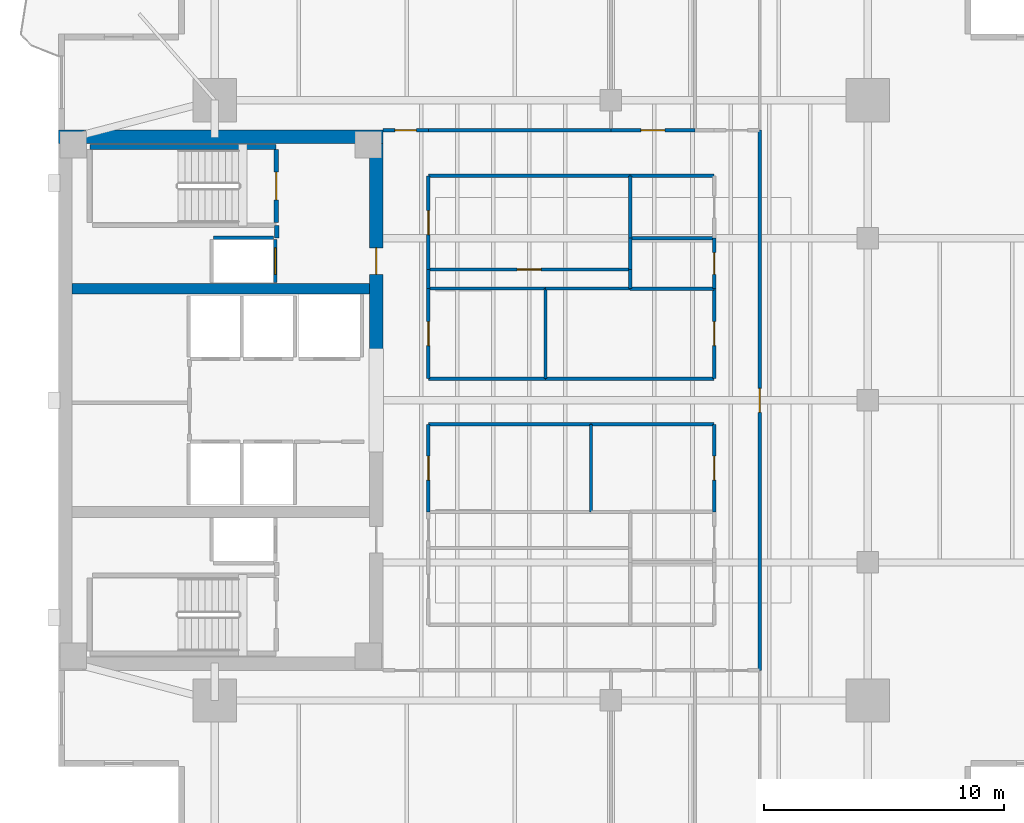
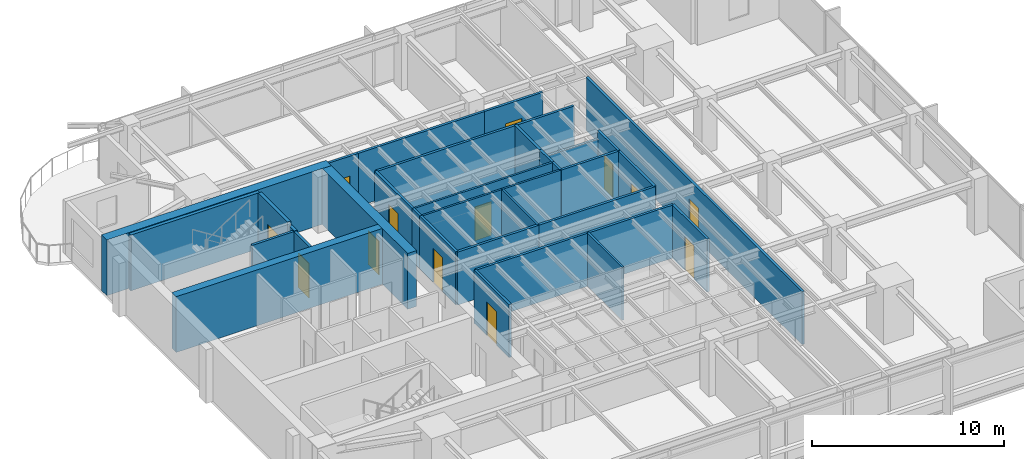
# One storey, part 9 of 14: 35 walls, 13 doors, 13 openings.
"""IFC4 building model written with IfcOpenShell, lengths in metres."""

from ifc_helpers import new_model, si_unit, direction, frame, frame_2d, origin, place, context, subcontext, project, spatial, rectangle, extrude, material, layer, layer_set, type_object, element, fill, save


model = new_model("IFC4")

# Units and contexts
model_context = context("Model", 3, precision=1e-05, world=origin(), true_north=direction((0.0, 1.0)))
body_context = subcontext(model_context, "Body", "Model", "MODEL_VIEW")
ifc_project = project(units=[si_unit("LENGTHUNIT", "METRE"), si_unit("AREAUNIT", "SQUARE_METRE"), si_unit("VOLUMEUNIT", "CUBIC_METRE"), si_unit("PLANEANGLEUNIT", "RADIAN"), si_unit("MASSUNIT", "GRAM", prefix="KILO")], contexts=[model_context])

# Site, building, storey
site_placement = place(None, origin())
site = spatial("IfcSite", under=ifc_project, at=site_placement, CompositionType="ELEMENT")
building_placement = place(site_placement, origin())
building = spatial("IfcBuilding", under=site, at=building_placement, Name="Kinhvarn Gate Tower", CompositionType="ELEMENT")
storey_placement = place(building_placement, frame((0.0, 0.0, 216.449951171875)))
storey = spatial("IfcBuildingStorey", under=building, at=storey_placement, Name="L57", CompositionType="ELEMENT", Elevation=216.449951171875)

# Walls
ifc_material_1 = material(Name="Concrete C50/60", Category="concrete")
ifc_layer_1 = layer(ifc_material_1, 0.449951171875)
ifc_layer_set_1 = layer_set([ifc_layer_1], Name="Concrete C50/60")
wall_type_1 = type_object("IfcWallType", Name="WL-CORE-450", PredefinedType="SHEAR", material=ifc_layer_set_1)
wall_1_placement = place(storey_placement, frame((5.050048828125, 29.89990234375, 0.0), z_axis=(0.0, 0.0, 1.0), x_axis=(1.0, 0.0, 0.0)))
element("IfcWall", 1, at=wall_1_placement, inside=storey, type_object=wall_type_1, Name="Core North Spine Shear Wall L57 450 mm", PredefinedType="SHEAR", context=body_context, shape_type="SweptSolid", body=[
    extrude(rectangle(XDim=12.39990234375, YDim=0.449951171875, at=frame_2d((6.199951171875, 0.0))), origin(), (0.0, 0.0, 1.0), 3.550048828125),
])
ifc_material_2 = material(Name="Concrete C60/75", Category="concrete")
ifc_layer_2 = layer(ifc_material_2, 0.550048828125)
ifc_layer_set_2 = layer_set([ifc_layer_2], Name="Concrete C60/75")
wall_type_2 = type_object("IfcWallType", Name="WL-CORE-550", PredefinedType="SHEAR", material=ifc_layer_set_2)
wall_2_placement = place(storey_placement, frame((4.5, 36.22509765625, 0.0), z_axis=(0.0, 0.0, 1.0), x_axis=(1.0, 0.0, 0.0)))
element("IfcWall", 2, at=wall_2_placement, inside=storey, type_object=wall_type_2, Name="Core North Shear Wall L57 550 mm", PredefinedType="SHEAR", context=body_context, shape_type="SweptSolid", body=[
    extrude(rectangle(XDim=13.5, YDim=0.550048828125, at=frame_2d((6.75, 0.0))), origin(), (0.0, 0.0, 1.0), 3.550048828125),
])

# Wall, opening, door
wall_3_placement = place(storey_placement, frame((17.72509765625, 27.050048828125, 0.0), z_axis=(0.0, 0.0, 1.0), x_axis=(0.0, 1.0, 0.0)))
wall_3 = element("IfcWall", 3, at=wall_3_placement, inside=storey, type_object=wall_type_2, Name="Core East-North Shear Pier L57 550 mm", PredefinedType="SHEAR", context=body_context, shape_type="SweptSolid", body=[
    extrude(rectangle(XDim=8.89990234375, YDim=0.550048828125, at=frame_2d((4.449951171875, 0.0))), origin(), (0.0, 0.0, 1.0), 3.550048828125),
])
opening_1_placement = place(wall_3_placement, frame((3.449951171875, 0.0, 0.0)))
opening_1 = element("IfcOpeningElement", 4, at=opening_1_placement, cuts=wall_3, Name="Opening FD-02", PredefinedType="OPENING", context=body_context, shape_type="SweptSolid", body=[
    extrude(rectangle(XDim=1.10009765625, YDim=2.14990234375, at=frame_2d((0.550048828125, 1.074951171875))), frame((0.0, 0.28515625, 0.0), z_axis=(0.0, -1.0, 0.0), x_axis=(1.0, 0.0, 0.0)), (0.0, 0.0, 1.0), 0.570068359375),
])
ifc_material_3 = material(Name="Anodised aluminium AW-6063", Category="aluminium")
door_type_1 = type_object("IfcDoorType", Name="DR-FD-1100", OperationType="NOTDEFINED", PredefinedType="DOOR", material=ifc_material_3)
door_1_placement = place(opening_1_placement, origin())
door_1 = element("IfcDoor", 5, at=door_1_placement, inside=storey, type_object=door_type_1, Name="Firefighting Lobby Core Door (L57)", OperationType="SINGLE_SWING_LEFT", OverallHeight=2.14990234375, OverallWidth=1.10009765625, PredefinedType="DOOR", context=body_context, shape_type="SweptSolid", body=[
    extrude(rectangle(XDim=1.10009765625, YDim=2.14990234375, at=frame_2d((0.550048828125, 1.074951171875))), frame((0.0, 0.02490234375, 0.0), z_axis=(0.0, -1.0, 0.0), x_axis=(1.0, 0.0, 0.0)), (0.0, 0.0, 1.0), 0.050048828125),
])
fill(opening_1, door_1)

# Walls
ifc_material_4 = material(Name="Gypsum acoustic partition board")
ifc_layer_3 = layer(ifc_material_4, 0.14990234375)
ifc_layer_set_3 = layer_set([ifc_layer_3], Name="Gypsum acoustic partition board")
wall_type_3 = type_object("IfcWallType", Name="WL-PLM-150", PredefinedType="PLUMBINGWALL", material=ifc_layer_set_3)
wall_4_placement = place(storey_placement, frame((28.300048828125, 32.0, 0.0), z_axis=(0.0, 0.0, 1.0), x_axis=(1.0, 0.0, 0.0)))
element("IfcWall", 6, at=wall_4_placement, inside=storey, type_object=wall_type_3, Name="Interior Partition PLW-150 (L57)", PredefinedType="PLUMBINGWALL", context=body_context, shape_type="SweptSolid", body=[
    extrude(rectangle(XDim=3.5, YDim=0.14990234375, at=frame_2d((1.75, 0.0))), origin(), (0.0, 0.0, 1.0), 2.8701171875),
])
wall_5_placement = place(storey_placement, frame((28.300048828125, 32.0, 0.0), z_axis=(0.0, 0.0, 1.0), x_axis=(0.0, 1.0, 0.0)))
element("IfcWall", 7, at=wall_5_placement, inside=storey, type_object=wall_type_3, Name="Interior Partition PLW-150 (L57)", PredefinedType="PLUMBINGWALL", context=body_context, shape_type="SweptSolid", body=[
    extrude(rectangle(XDim=2.60009765625, YDim=0.14990234375, at=frame_2d((1.300048828125, 0.0))), origin(), (0.0, 0.0, 1.0), 3.3701171875),
])
wall_6_placement = place(storey_placement, frame((28.300048828125, 30.699951171875, 0.0), z_axis=(0.0, 0.0, 1.0), x_axis=(0.0, 1.0, 0.0)))
element("IfcWall", 8, at=wall_6_placement, inside=storey, type_object=wall_type_3, Name="Interior Partition PLW-150 (L57)", PredefinedType="PLUMBINGWALL", context=body_context, shape_type="SweptSolid", body=[
    extrude(rectangle(XDim=1.300048828125, YDim=0.14990234375, at=frame_2d((0.64990234375, 0.0))), origin(), (0.0, 0.0, 1.0), 3.3701171875),
])
wall_7_placement = place(storey_placement, frame((28.300048828125, 29.89990234375, 0.0), z_axis=(0.0, 0.0, 1.0), x_axis=(0.0, 1.0, 0.0)))
element("IfcWall", 9, at=wall_7_placement, inside=storey, type_object=wall_type_3, Name="Interior Partition PLW-150 (L57)", PredefinedType="PLUMBINGWALL", context=body_context, shape_type="SweptSolid", body=[
    extrude(rectangle(XDim=0.800048828125, YDim=0.14990234375, at=frame_2d((0.39990234375, 0.0))), origin(), (0.0, 0.0, 1.0), 3.3701171875),
])
wall_8_placement = place(storey_placement, frame((28.300048828125, 29.89990234375, 0.0), z_axis=(0.0, 0.0, 1.0), x_axis=(1.0, 0.0, 0.0)))
element("IfcWall", 10, at=wall_8_placement, inside=storey, type_object=wall_type_3, Name="Interior Partition PLW-150 (L57)", PredefinedType="PLUMBINGWALL", context=body_context, shape_type="SweptSolid", body=[
    extrude(rectangle(XDim=3.5, YDim=0.14990234375, at=frame_2d((1.75, 0.0))), origin(), (0.0, 0.0, 1.0), 3.3701171875),
])

# Wall, opening, door
ifc_layer_4 = layer(ifc_material_4, 0.14990234375)
ifc_layer_set_4 = layer_set([ifc_layer_4], Name="Gypsum acoustic partition board")
wall_type_4 = type_object("IfcWallType", Name="WL-PLM-150F", PredefinedType="PLUMBINGWALL", material=ifc_layer_set_4)
wall_9_placement = place(storey_placement, frame((31.800048828125, 29.89990234375, 0.0), z_axis=(0.0, 0.0, 1.0), x_axis=(0.0, 1.0, 0.0)))
wall_9 = element("IfcWall", 11, at=wall_9_placement, inside=storey, type_object=wall_type_4, Name="Interior Partition PLW-150F (L57)", PredefinedType="PLUMBINGWALL", context=body_context, shape_type="SweptSolid", body=[
    extrude(rectangle(XDim=2.10009765625, YDim=0.14990234375, at=frame_2d((1.050048828125, 0.0))), origin(), (0.0, 0.0, 1.0), 3.3701171875),
])
opening_2_placement = place(wall_9_placement, frame((0.60009765625, 0.0, 0.0)))
opening_2 = element("IfcOpeningElement", 12, at=opening_2_placement, cuts=wall_9, Name="Opening FD-04", PredefinedType="OPENING", context=body_context, shape_type="SweptSolid", body=[
    extrude(rectangle(XDim=0.89990234375, YDim=2.10009765625, at=frame_2d((0.449951171875, 1.050048828125))), frame((0.0, 0.0849609375, 0.0), z_axis=(0.0, -1.0, 0.0), x_axis=(1.0, 0.0, 0.0)), (0.0, 0.0, 1.0), 0.169921875),
])
door_type_2 = type_object("IfcDoorType", Name="DR-FD-900", OperationType="NOTDEFINED", PredefinedType="DOOR", material=ifc_material_3)
door_2_placement = place(opening_2_placement, origin())
door_2 = element("IfcDoor", 13, at=door_2_placement, inside=storey, type_object=door_type_2, Name="Rated Riser & Service Closet Fire Door 900x2100 mm (L57)", OperationType="SINGLE_SWING_LEFT", OverallHeight=2.10009765625, OverallWidth=0.89990234375, PredefinedType="DOOR", context=body_context, shape_type="SweptSolid", body=[
    extrude(rectangle(XDim=0.89990234375, YDim=2.10009765625, at=frame_2d((0.449951171875, 1.050048828125))), frame((0.0, 0.02490234375, 0.0), z_axis=(0.0, -1.0, 0.0), x_axis=(1.0, 0.0, 0.0)), (0.0, 0.0, 1.0), 0.050048828125),
])
fill(opening_2, door_2)

# Wall
wall_10_placement = place(storey_placement, frame((28.300048828125, 34.60009765625, 0.0), z_axis=(0.0, 0.0, 1.0), x_axis=(1.0, 0.0, 0.0)))
element("IfcWall", 14, at=wall_10_placement, inside=storey, type_object=wall_type_4, Name="Interior Partition PLW-150F (L57)", PredefinedType="PLUMBINGWALL", context=body_context, shape_type="SweptSolid", body=[
    extrude(rectangle(XDim=3.5, YDim=0.14990234375, at=frame_2d((1.75, 0.0))), origin(), (0.0, 0.0, 1.0), 3.3701171875),
])

# Wall, opening, door
ifc_layer_5 = layer(ifc_material_4, 0.1201171875)
ifc_layer_set_5 = layer_set([ifc_layer_5], Name="Gypsum acoustic partition board")
wall_type_5 = type_object("IfcWallType", Name="WL-PRT-120", PredefinedType="PARTITIONING", material=ifc_layer_set_5)
wall_11_placement = place(storey_placement, frame((19.89990234375, 30.699951171875, 0.0), z_axis=(0.0, 0.0, 1.0), x_axis=(1.0, 0.0, 0.0)))
wall_11 = element("IfcWall", 15, at=wall_11_placement, inside=storey, type_object=wall_type_5, Name="Interior Partition PW-120 (L57)", PredefinedType="PARTITIONING", context=body_context, shape_type="SweptSolid", body=[
    extrude(rectangle(XDim=8.400146484375, YDim=0.1201171875, at=frame_2d((4.2001953125, 0.0))), origin(), (0.0, 0.0, 1.0), 3.3701171875),
])
opening_3_placement = place(wall_11_placement, frame((3.699951171875, 0.0, 0.0)))
opening_3 = element("IfcOpeningElement", 16, at=opening_3_placement, cuts=wall_11, Name="Opening ID-02", PredefinedType="OPENING", context=body_context, shape_type="SweptSolid", body=[
    extrude(rectangle(XDim=1.0, YDim=2.14990234375, at=frame_2d((0.5, 1.074951171875))), frame((0.0, 0.070068359375, 0.0), z_axis=(0.0, -1.0, 0.0), x_axis=(1.0, 0.0, 0.0)), (0.0, 0.0, 1.0), 0.14013671875),
])
door_type_3 = type_object("IfcDoorType", Name="DR-INT-1000", OperationType="NOTDEFINED", PredefinedType="DOOR", material=ifc_material_3)
door_3_placement = place(opening_3_placement, origin())
door_3 = element("IfcDoor", 17, at=door_3_placement, inside=storey, type_object=door_type_3, Name="Standard Office & Meeting Room Door 1000x2150 mm (L57)", OperationType="SINGLE_SWING_LEFT", OverallHeight=2.14990234375, OverallWidth=1.0, PredefinedType="DOOR", context=body_context, shape_type="SweptSolid", body=[
    extrude(rectangle(XDim=1.0, YDim=2.14990234375, at=frame_2d((0.5, 1.074951171875))), frame((0.0, 0.02490234375, 0.0), z_axis=(0.0, -1.0, 0.0), x_axis=(1.0, 0.0, 0.0)), (0.0, 0.0, 1.0), 0.050048828125),
])
fill(opening_3, door_3)

# Walls
wall_12_placement = place(storey_placement, frame((19.89990234375, 29.89990234375, 0.0), z_axis=(0.0, 0.0, 1.0), x_axis=(1.0, 0.0, 0.0)))
element("IfcWall", 18, at=wall_12_placement, inside=storey, type_object=wall_type_5, Name="Interior Partition PW-120 (L57)", PredefinedType="PARTITIONING", context=body_context, shape_type="SweptSolid", body=[
    extrude(rectangle(XDim=4.880126953125, YDim=0.1201171875, at=frame_2d((2.43994140625, 0.0))), origin(), (0.0, 0.0, 1.0), 3.3701171875),
])
wall_13_placement = place(storey_placement, frame((24.780029296875, 29.89990234375, 0.0), z_axis=(0.0, 0.0, 1.0), x_axis=(1.0, 0.0, 0.0)))
element("IfcWall", 19, at=wall_13_placement, inside=storey, type_object=wall_type_5, Name="Interior Partition PW-120 (L57)", PredefinedType="PARTITIONING", context=body_context, shape_type="SweptSolid", body=[
    extrude(rectangle(XDim=3.52001953125, YDim=0.1201171875, at=frame_2d((1.760009765625, 0.0))), origin(), (0.0, 0.0, 1.0), 3.3701171875),
])
wall_14_placement = place(storey_placement, frame((26.679931640625, 20.60009765625, 0.0), z_axis=(0.0, 0.0, 1.0), x_axis=(0.0, 1.0, 0.0)))
element("IfcWall", 20, at=wall_14_placement, inside=storey, type_object=wall_type_5, Name="Interior Partition PW-120 (L57)", PredefinedType="PARTITIONING", context=body_context, shape_type="SweptSolid", body=[
    extrude(rectangle(XDim=3.64990234375, YDim=0.1201171875, at=frame_2d((1.824951171875, 0.0))), origin(), (0.0, 0.0, 1.0), 3.3701171875),
])
wall_15_placement = place(storey_placement, frame((24.780029296875, 26.14990234375, 0.0), z_axis=(0.0, 0.0, 1.0), x_axis=(0.0, 1.0, 0.0)))
element("IfcWall", 21, at=wall_15_placement, inside=storey, type_object=wall_type_5, Name="Interior Partition PW-120 (L57)", PredefinedType="PARTITIONING", context=body_context, shape_type="SweptSolid", body=[
    extrude(rectangle(XDim=3.75, YDim=0.1201171875, at=frame_2d((1.875, 0.0))), origin(), (0.0, 0.0, 1.0), 3.3701171875),
])

# Wall, opening, door
ifc_layer_6 = layer(ifc_material_4, 0.14990234375)
ifc_layer_set_6 = layer_set([ifc_layer_6], Name="Gypsum acoustic partition board")
wall_type_6 = type_object("IfcWallType", Name="WL-PRT-150F", PredefinedType="PARTITIONING", material=ifc_layer_set_6)
wall_16_placement = place(storey_placement, frame((19.89990234375, 30.699951171875, 0.0), z_axis=(0.0, 0.0, 1.0), x_axis=(0.0, 1.0, 0.0)))
wall_16 = element("IfcWall", 22, at=wall_16_placement, inside=storey, type_object=wall_type_6, Name="Interior Partition PW-150F (L57)", PredefinedType="PARTITIONING", context=body_context, shape_type="SweptSolid", body=[
    extrude(rectangle(XDim=3.900146484375, YDim=0.14990234375, at=frame_2d((1.9501953125, 0.0))), origin(), (0.0, 0.0, 1.0), 3.3701171875),
])
opening_4_placement = place(wall_16_placement, frame((1.449951171875, 0.0, 0.0)))
opening_4 = element("IfcOpeningElement", 23, at=opening_4_placement, cuts=wall_16, Name="Opening ID-02", PredefinedType="OPENING", context=body_context, shape_type="SweptSolid", body=[
    extrude(rectangle(XDim=1.0, YDim=2.14990234375, at=frame_2d((0.5, 1.074951171875))), frame((0.0, 0.0849609375, 0.0), z_axis=(0.0, -1.0, 0.0), x_axis=(1.0, 0.0, 0.0)), (0.0, 0.0, 1.0), 0.169921875),
])
door_4_placement = place(opening_4_placement, origin())
door_4 = element("IfcDoor", 24, at=door_4_placement, inside=storey, type_object=door_type_3, Name="Standard Office & Meeting Room Door 1000x2150 mm (L57)", OperationType="SINGLE_SWING_LEFT", OverallHeight=2.14990234375, OverallWidth=1.0, PredefinedType="DOOR", context=body_context, shape_type="SweptSolid", body=[
    extrude(rectangle(XDim=1.0, YDim=2.14990234375, at=frame_2d((0.5, 1.074951171875))), frame((0.0, 0.02490234375, 0.0), z_axis=(0.0, -1.0, 0.0), x_axis=(1.0, 0.0, 0.0)), (0.0, 0.0, 1.0), 0.050048828125),
])
fill(opening_4, door_4)

# Wall
wall_17_placement = place(storey_placement, frame((19.89990234375, 29.89990234375, 0.0), z_axis=(0.0, 0.0, 1.0), x_axis=(0.0, 1.0, 0.0)))
element("IfcWall", 25, at=wall_17_placement, inside=storey, type_object=wall_type_6, Name="Interior Partition PW-150F (L57)", PredefinedType="PARTITIONING", context=body_context, shape_type="SweptSolid", body=[
    extrude(rectangle(XDim=0.800048828125, YDim=0.14990234375, at=frame_2d((0.39990234375, 0.0))), origin(), (0.0, 0.0, 1.0), 3.3701171875),
])

# Wall, opening, door
wall_18_placement = place(storey_placement, frame((19.89990234375, 20.60009765625, 0.0), z_axis=(0.0, 0.0, 1.0), x_axis=(0.0, 1.0, 0.0)))
wall_18 = element("IfcWall", 26, at=wall_18_placement, inside=storey, type_object=wall_type_6, Name="Interior Partition PW-150F (L57)", PredefinedType="PARTITIONING", context=body_context, shape_type="SweptSolid", body=[
    extrude(rectangle(XDim=3.64990234375, YDim=0.14990234375, at=frame_2d((1.824951171875, 0.0))), origin(), (0.0, 0.0, 1.0), 3.3701171875),
])
opening_5_placement = place(wall_18_placement, frame((1.324951171875, 0.0, 0.0)))
opening_5 = element("IfcOpeningElement", 27, at=opening_5_placement, cuts=wall_18, Name="Opening ID-02", PredefinedType="OPENING", context=body_context, shape_type="SweptSolid", body=[
    extrude(rectangle(XDim=1.0, YDim=2.14990234375, at=frame_2d((0.5, 1.074951171875))), frame((0.0, 0.0849609375, 0.0), z_axis=(0.0, -1.0, 0.0), x_axis=(1.0, 0.0, 0.0)), (0.0, 0.0, 1.0), 0.169921875),
])
door_5_placement = place(opening_5_placement, origin())
door_5 = element("IfcDoor", 28, at=door_5_placement, inside=storey, type_object=door_type_3, Name="Standard Office & Meeting Room Door 1000x2150 mm (L57)", OperationType="SINGLE_SWING_RIGHT", OverallHeight=2.14990234375, OverallWidth=1.0, PredefinedType="DOOR", context=body_context, shape_type="SweptSolid", body=[
    extrude(rectangle(XDim=1.0, YDim=2.14990234375, at=frame_2d((0.5, 1.074951171875))), frame((0.0, 0.02490234375, 0.0), z_axis=(0.0, -1.0, 0.0), x_axis=(1.0, 0.0, 0.0)), (0.0, 0.0, 1.0), 0.050048828125),
])
fill(opening_5, door_5)

wall_19_placement = place(storey_placement, frame((19.89990234375, 26.14990234375, 0.0), z_axis=(0.0, 0.0, 1.0), x_axis=(0.0, 1.0, 0.0)))
wall_19 = element("IfcWall", 29, at=wall_19_placement, inside=storey, type_object=wall_type_6, Name="Interior Partition PW-150F (L57)", PredefinedType="PARTITIONING", context=body_context, shape_type="SweptSolid", body=[
    extrude(rectangle(XDim=3.75, YDim=0.14990234375, at=frame_2d((1.875, 0.0))), origin(), (0.0, 0.0, 1.0), 3.3701171875),
])
opening_6_placement = place(wall_19_placement, frame((1.375, 0.0, 0.0)))
opening_6 = element("IfcOpeningElement", 30, at=opening_6_placement, cuts=wall_19, Name="Opening ID-02", PredefinedType="OPENING", context=body_context, shape_type="SweptSolid", body=[
    extrude(rectangle(XDim=1.0, YDim=2.14990234375, at=frame_2d((0.5, 1.074951171875))), frame((0.0, 0.0849609375, 0.0), z_axis=(0.0, -1.0, 0.0), x_axis=(1.0, 0.0, 0.0)), (0.0, 0.0, 1.0), 0.169921875),
])
door_6_placement = place(opening_6_placement, origin())
door_6 = element("IfcDoor", 31, at=door_6_placement, inside=storey, type_object=door_type_3, Name="Standard Office & Meeting Room Door 1000x2150 mm (L57)", OperationType="SINGLE_SWING_LEFT", OverallHeight=2.14990234375, OverallWidth=1.0, PredefinedType="DOOR", context=body_context, shape_type="SweptSolid", body=[
    extrude(rectangle(XDim=1.0, YDim=2.14990234375, at=frame_2d((0.5, 1.074951171875))), frame((0.0, 0.02490234375, 0.0), z_axis=(0.0, -1.0, 0.0), x_axis=(1.0, 0.0, 0.0)), (0.0, 0.0, 1.0), 0.050048828125),
])
fill(opening_6, door_6)

wall_20_placement = place(storey_placement, frame((18.0, 36.5, 0.0), z_axis=(0.0, 0.0, 1.0), x_axis=(1.0, 0.0, 0.0)))
wall_20 = element("IfcWall", 32, at=wall_20_placement, inside=storey, type_object=wall_type_6, Name="Interior Partition PW-150F (L57)", PredefinedType="PARTITIONING", context=body_context, shape_type="SweptSolid", body=[
    extrude(rectangle(XDim=1.89990234375, YDim=0.14990234375, at=frame_2d((0.949951171875, 0.0))), origin(), (0.0, 0.0, 1.0), 3.3701171875),
])
opening_7_placement = place(wall_20_placement, frame((0.5, 0.0, 0.0)))
opening_7 = element("IfcOpeningElement", 33, at=opening_7_placement, cuts=wall_20, Name="Opening ID-03", PredefinedType="OPENING", context=body_context, shape_type="SweptSolid", body=[
    extrude(rectangle(XDim=0.89990234375, YDim=2.10009765625, at=frame_2d((0.449951171875, 1.050048828125))), frame((0.0, 0.0849609375, 0.0), z_axis=(0.0, -1.0, 0.0), x_axis=(1.0, 0.0, 0.0)), (0.0, 0.0, 1.0), 0.169921875),
])
door_type_4 = type_object("IfcDoorType", Name="DR-INT-900", OperationType="NOTDEFINED", PredefinedType="DOOR", material=ifc_material_3)
door_7_placement = place(opening_7_placement, origin())
door_7 = element("IfcDoor", 34, at=door_7_placement, inside=storey, type_object=door_type_4, Name="Cellular Office & Restroom Door 900x2100 mm (L57)", OperationType="SINGLE_SWING_LEFT", OverallHeight=2.10009765625, OverallWidth=0.89990234375, PredefinedType="DOOR", context=body_context, shape_type="SweptSolid", body=[
    extrude(rectangle(XDim=0.89990234375, YDim=2.10009765625, at=frame_2d((0.449951171875, 1.050048828125))), frame((0.0, 0.02490234375, 0.0), z_axis=(0.0, -1.0, 0.0), x_axis=(1.0, 0.0, 0.0)), (0.0, 0.0, 1.0), 0.050048828125),
])
fill(opening_7, door_7)

# Walls
wall_21_placement = place(storey_placement, frame((19.89990234375, 24.25, 0.0), z_axis=(0.0, 0.0, 1.0), x_axis=(1.0, 0.0, 0.0)))
element("IfcWall", 35, at=wall_21_placement, inside=storey, type_object=wall_type_6, Name="Interior Partition PW-150F (L57)", PredefinedType="PARTITIONING", context=body_context, shape_type="SweptSolid", body=[
    extrude(rectangle(XDim=6.780029296875, YDim=0.14990234375, at=frame_2d((3.39013671875, 0.0))), origin(), (0.0, 0.0, 1.0), 3.3701171875),
])
wall_22_placement = place(storey_placement, frame((26.679931640625, 24.25, 0.0), z_axis=(0.0, 0.0, 1.0), x_axis=(1.0, 0.0, 0.0)))
element("IfcWall", 36, at=wall_22_placement, inside=storey, type_object=wall_type_6, Name="Interior Partition PW-150F (L57)", PredefinedType="PARTITIONING", context=body_context, shape_type="SweptSolid", body=[
    extrude(rectangle(XDim=5.1201171875, YDim=0.14990234375, at=frame_2d((2.56005859375, 0.0))), origin(), (0.0, 0.0, 1.0), 3.3701171875),
])
wall_23_placement = place(storey_placement, frame((19.89990234375, 26.14990234375, 0.0), z_axis=(0.0, 0.0, 1.0), x_axis=(1.0, 0.0, 0.0)))
element("IfcWall", 37, at=wall_23_placement, inside=storey, type_object=wall_type_6, Name="Interior Partition PW-150F (L57)", PredefinedType="PARTITIONING", context=body_context, shape_type="SweptSolid", body=[
    extrude(rectangle(XDim=4.880126953125, YDim=0.14990234375, at=frame_2d((2.43994140625, 0.0))), origin(), (0.0, 0.0, 1.0), 3.3701171875),
])
wall_24_placement = place(storey_placement, frame((24.780029296875, 26.14990234375, 0.0), z_axis=(0.0, 0.0, 1.0), x_axis=(1.0, 0.0, 0.0)))
element("IfcWall", 38, at=wall_24_placement, inside=storey, type_object=wall_type_6, Name="Interior Partition PW-150F (L57)", PredefinedType="PARTITIONING", context=body_context, shape_type="SweptSolid", body=[
    extrude(rectangle(XDim=7.02001953125, YDim=0.14990234375, at=frame_2d((3.510009765625, 0.0))), origin(), (0.0, 0.0, 1.0), 3.3701171875),
])

# Wall, opening, door
wall_25_placement = place(storey_placement, frame((31.800048828125, 20.60009765625, 0.0), z_axis=(0.0, 0.0, 1.0), x_axis=(0.0, 1.0, 0.0)))
wall_25 = element("IfcWall", 39, at=wall_25_placement, inside=storey, type_object=wall_type_6, Name="Interior Partition PW-150F (L57)", PredefinedType="PARTITIONING", context=body_context, shape_type="SweptSolid", body=[
    extrude(rectangle(XDim=3.64990234375, YDim=0.14990234375, at=frame_2d((1.824951171875, 0.0))), origin(), (0.0, 0.0, 1.0), 3.3701171875),
])
opening_8_placement = place(wall_25_placement, frame((1.324951171875, 0.0, 0.0)))
opening_8 = element("IfcOpeningElement", 40, at=opening_8_placement, cuts=wall_25, Name="Opening ID-02", PredefinedType="OPENING", context=body_context, shape_type="SweptSolid", body=[
    extrude(rectangle(XDim=1.0, YDim=2.14990234375, at=frame_2d((0.5, 1.074951171875))), frame((0.0, 0.0849609375, 0.0), z_axis=(0.0, -1.0, 0.0), x_axis=(1.0, 0.0, 0.0)), (0.0, 0.0, 1.0), 0.169921875),
])
door_8_placement = place(opening_8_placement, origin())
door_8 = element("IfcDoor", 41, at=door_8_placement, inside=storey, type_object=door_type_3, Name="Standard Office & Meeting Room Door 1000x2150 mm (L57)", OperationType="SINGLE_SWING_RIGHT", OverallHeight=2.14990234375, OverallWidth=1.0, PredefinedType="DOOR", context=body_context, shape_type="SweptSolid", body=[
    extrude(rectangle(XDim=1.0, YDim=2.14990234375, at=frame_2d((0.5, 1.074951171875))), frame((0.0, 0.02490234375, 0.0), z_axis=(0.0, -1.0, 0.0), x_axis=(1.0, 0.0, 0.0)), (0.0, 0.0, 1.0), 0.050048828125),
])
fill(opening_8, door_8)

wall_26_placement = place(storey_placement, frame((31.800048828125, 26.14990234375, 0.0), z_axis=(0.0, 0.0, 1.0), x_axis=(0.0, 1.0, 0.0)))
wall_26 = element("IfcWall", 42, at=wall_26_placement, inside=storey, type_object=wall_type_6, Name="Interior Partition PW-150F (L57)", PredefinedType="PARTITIONING", context=body_context, shape_type="SweptSolid", body=[
    extrude(rectangle(XDim=3.75, YDim=0.14990234375, at=frame_2d((1.875, 0.0))), origin(), (0.0, 0.0, 1.0), 3.3701171875),
])
opening_9_placement = place(wall_26_placement, frame((1.375, 0.0, 0.0)))
opening_9 = element("IfcOpeningElement", 43, at=opening_9_placement, cuts=wall_26, Name="Opening ID-02", PredefinedType="OPENING", context=body_context, shape_type="SweptSolid", body=[
    extrude(rectangle(XDim=1.0, YDim=2.14990234375, at=frame_2d((0.5, 1.074951171875))), frame((0.0, 0.0849609375, 0.0), z_axis=(0.0, -1.0, 0.0), x_axis=(1.0, 0.0, 0.0)), (0.0, 0.0, 1.0), 0.169921875),
])
door_9_placement = place(opening_9_placement, origin())
door_9 = element("IfcDoor", 44, at=door_9_placement, inside=storey, type_object=door_type_3, Name="Standard Office & Meeting Room Door 1000x2150 mm (L57)", OperationType="SINGLE_SWING_LEFT", OverallHeight=2.14990234375, OverallWidth=1.0, PredefinedType="DOOR", context=body_context, shape_type="SweptSolid", body=[
    extrude(rectangle(XDim=1.0, YDim=2.14990234375, at=frame_2d((0.5, 1.074951171875))), frame((0.0, 0.02490234375, 0.0), z_axis=(0.0, -1.0, 0.0), x_axis=(1.0, 0.0, 0.0)), (0.0, 0.0, 1.0), 0.050048828125),
])
fill(opening_9, door_9)

wall_27_placement = place(storey_placement, frame((33.699951171875, 14.0, 0.0), z_axis=(0.0, 0.0, 1.0), x_axis=(0.0, 1.0, 0.0)))
wall_27 = element("IfcWall", 45, at=wall_27_placement, inside=storey, type_object=wall_type_6, Name="Interior Partition PW-150F (L57)", PredefinedType="PARTITIONING", context=body_context, shape_type="SweptSolid", body=[
    extrude(rectangle(XDim=22.5, YDim=0.14990234375, at=frame_2d((11.25, 0.0))), origin(), (0.0, 0.0, 1.0), 3.3701171875),
])
opening_10_placement = place(wall_27_placement, frame((10.75, 0.0, 0.0)))
opening_10 = element("IfcOpeningElement", 46, at=opening_10_placement, cuts=wall_27, Name="Opening ID-02", PredefinedType="OPENING", context=body_context, shape_type="SweptSolid", body=[
    extrude(rectangle(XDim=1.0, YDim=2.14990234375, at=frame_2d((0.5, 1.074951171875))), frame((0.0, 0.0849609375, 0.0), z_axis=(0.0, -1.0, 0.0), x_axis=(1.0, 0.0, 0.0)), (0.0, 0.0, 1.0), 0.169921875),
])
door_10_placement = place(opening_10_placement, origin())
door_10 = element("IfcDoor", 47, at=door_10_placement, inside=storey, type_object=door_type_3, Name="Standard Office & Meeting Room Door 1000x2150 mm (L57)", OperationType="SINGLE_SWING_RIGHT", OverallHeight=2.14990234375, OverallWidth=1.0, PredefinedType="DOOR", context=body_context, shape_type="SweptSolid", body=[
    extrude(rectangle(XDim=1.0, YDim=2.14990234375, at=frame_2d((0.5, 1.074951171875))), frame((0.0, 0.02490234375, 0.0), z_axis=(0.0, -1.0, 0.0), x_axis=(1.0, 0.0, 0.0)), (0.0, 0.0, 1.0), 0.050048828125),
])
fill(opening_10, door_10)

# Walls
wall_28_placement = place(storey_placement, frame((19.89990234375, 34.60009765625, 0.0), z_axis=(0.0, 0.0, 1.0), x_axis=(1.0, 0.0, 0.0)))
element("IfcWall", 48, at=wall_28_placement, inside=storey, type_object=wall_type_6, Name="Interior Partition PW-150F (L57)", PredefinedType="PARTITIONING", context=body_context, shape_type="SweptSolid", body=[
    extrude(rectangle(XDim=8.400146484375, YDim=0.14990234375, at=frame_2d((4.2001953125, 0.0))), origin(), (0.0, 0.0, 1.0), 3.3701171875),
])
wall_29_placement = place(storey_placement, frame((19.89990234375, 36.5, 0.0), z_axis=(0.0, 0.0, 1.0), x_axis=(1.0, 0.0, 0.0)))
element("IfcWall", 49, at=wall_29_placement, inside=storey, type_object=wall_type_6, Name="Interior Partition PW-150F (L57)", PredefinedType="PARTITIONING", context=body_context, shape_type="SweptSolid", body=[
    extrude(rectangle(XDim=7.60009765625, YDim=0.14990234375, at=frame_2d((3.800048828125, 0.0))), origin(), (0.0, 0.0, 1.0), 3.3701171875),
])

# Wall, opening, door
wall_30_placement = place(storey_placement, frame((27.5, 36.5, 0.0), z_axis=(0.0, 0.0, 1.0), x_axis=(1.0, 0.0, 0.0)))
wall_30 = element("IfcWall", 50, at=wall_30_placement, inside=storey, type_object=wall_type_6, Name="Interior Partition PW-150F (L57)", PredefinedType="PARTITIONING", context=body_context, shape_type="SweptSolid", body=[
    extrude(rectangle(XDim=3.5, YDim=0.14990234375, at=frame_2d((1.75, 0.0))), origin(), (0.0, 0.0, 1.0), 3.3701171875),
])
opening_11_placement = place(wall_30_placement, frame((1.25, 0.0, 0.0)))
opening_11 = element("IfcOpeningElement", 51, at=opening_11_placement, cuts=wall_30, Name="Opening ID-02", PredefinedType="OPENING", context=body_context, shape_type="SweptSolid", body=[
    extrude(rectangle(XDim=1.0, YDim=2.14990234375, at=frame_2d((0.5, 1.074951171875))), frame((0.0, 0.0849609375, 0.0), z_axis=(0.0, -1.0, 0.0), x_axis=(1.0, 0.0, 0.0)), (0.0, 0.0, 1.0), 0.169921875),
])
door_11_placement = place(opening_11_placement, origin())
door_11 = element("IfcDoor", 52, at=door_11_placement, inside=storey, type_object=door_type_3, Name="Standard Office & Meeting Room Door 1000x2150 mm (L57)", OperationType="SINGLE_SWING_RIGHT", OverallHeight=2.14990234375, OverallWidth=1.0, PredefinedType="DOOR", context=body_context, shape_type="SweptSolid", body=[
    extrude(rectangle(XDim=1.0, YDim=2.14990234375, at=frame_2d((0.5, 1.074951171875))), frame((0.0, 0.02490234375, 0.0), z_axis=(0.0, -1.0, 0.0), x_axis=(1.0, 0.0, 0.0)), (0.0, 0.0, 1.0), 0.050048828125),
])
fill(opening_11, door_11)

# Walls
ifc_layer_7 = layer(ifc_material_4, 0.199951171875)
ifc_layer_set_7 = layer_set([ifc_layer_7], Name="Gypsum acoustic partition board")
wall_type_7 = type_object("IfcWallType", Name="WL-PRT-200", PredefinedType="PARTITIONING", material=ifc_layer_set_7)
wall_31_placement = place(storey_placement, frame((13.580078125, 32.0, 0.0), z_axis=(0.0, 0.0, 1.0), x_axis=(0.0, 1.0, 0.0)))
element("IfcWall", 53, at=wall_31_placement, inside=storey, type_object=wall_type_7, Name="Interior Partition PW-200 (L57)", PredefinedType="PARTITIONING", context=body_context, shape_type="SweptSolid", body=[
    extrude(rectangle(XDim=0.5400390625, YDim=0.199951171875, at=frame_2d((0.27001953125, 0.0))), origin(), (0.0, 0.0, 1.0), 3.3701171875),
])
ifc_layer_8 = layer(ifc_material_4, 0.14990234375)
ifc_layer_set_8 = layer_set([ifc_layer_8], Name="Gypsum acoustic partition board")
wall_type_8 = type_object("IfcWallType", Name="WL-SHF-150", PredefinedType="PARTITIONING", material=ifc_layer_set_8)
wall_32_placement = place(storey_placement, frame((10.949951171875, 32.02490234375, 0.0), z_axis=(0.0, 0.0, 1.0), x_axis=(1.0, 0.0, 0.0)))
element("IfcWall", 54, at=wall_32_placement, inside=storey, type_object=wall_type_8, Name="Elevator FF2 Hoistway Wall N (L57)", PredefinedType="PARTITIONING", context=body_context, shape_type="SweptSolid", body=[
    extrude(rectangle(XDim=2.5, YDim=0.14990234375, at=frame_2d((1.25, 0.0))), origin(), (0.0, 0.0, 1.0), 3.3701171875),
])

# Wall, opening, door
wall_33_placement = place(storey_placement, frame((13.52490234375, 30.14990234375, 0.0), z_axis=(0.0, 0.0, 1.0), x_axis=(0.0, 1.0, 0.0)))
wall_33 = element("IfcWall", 55, at=wall_33_placement, inside=storey, type_object=wall_type_8, Name="Elevator FF2 Landing Wall (L57)", PredefinedType="PARTITIONING", context=body_context, shape_type="SweptSolid", body=[
    extrude(rectangle(XDim=1.800048828125, YDim=0.14990234375, at=frame_2d((0.89990234375, 0.0))), origin(), (0.0, 0.0, 1.0), 3.3701171875),
])
opening_12_placement = place(wall_33_placement, frame((0.35009765625, 0.0, 0.0)))
opening_12 = element("IfcOpeningElement", 56, at=opening_12_placement, cuts=wall_33, Name="Opening LD-03", PredefinedType="OPENING", context=body_context, shape_type="SweptSolid", body=[
    extrude(rectangle(XDim=1.10009765625, YDim=2.199951171875, at=frame_2d((0.550048828125, 1.10009765625))), frame((0.0, 0.0849609375, 0.0), z_axis=(0.0, -1.0, 0.0), x_axis=(1.0, 0.0, 0.0)), (0.0, 0.0, 1.0), 0.169921875),
])
door_type_5 = type_object("IfcDoorType", Name="DR-LND-FF", OperationType="NOTDEFINED", PredefinedType="DOOR", material=ifc_material_3)
door_12_placement = place(opening_12_placement, origin())
door_12 = element("IfcDoor", 57, at=door_12_placement, inside=storey, type_object=door_type_5, Name="Elevator FF2 Sliding Landing Door (L57)", OperationType="DOUBLE_DOOR_SLIDING", OverallHeight=2.199951171875, OverallWidth=1.10009765625, PredefinedType="DOOR", context=body_context, shape_type="SweptSolid", body=[
    extrude(rectangle(XDim=1.10009765625, YDim=2.199951171875, at=frame_2d((0.550048828125, 1.10009765625))), frame((0.0, 0.02490234375, 0.0), z_axis=(0.0, -1.0, 0.0), x_axis=(1.0, 0.0, 0.0)), (0.0, 0.0, 1.0), 0.050048828125),
])
fill(opening_12, door_12)

# Wall
ifc_material_5 = material(Name="Concrete C40/50", Category="concrete")
ifc_layer_9 = layer(ifc_material_5, 0.199951171875)
ifc_layer_set_9 = layer_set([ifc_layer_9], Name="Concrete C40/50")
wall_type_9 = type_object("IfcWallType", Name="WL-SHF-200", PredefinedType="SOLIDWALL", material=ifc_layer_set_9)
wall_34_placement = place(storey_placement, frame((5.800048828125, 35.800048828125, 0.0), z_axis=(0.0, 0.0, 1.0), x_axis=(1.0, 0.0, 0.0)))
element("IfcWall", 58, at=wall_34_placement, inside=storey, type_object=wall_type_9, Name="Stair ST2 North Shaft Wall (L57)", PredefinedType="SOLIDWALL", context=body_context, shape_type="SweptSolid", body=[
    extrude(rectangle(XDim=7.75, YDim=0.199951171875, at=frame_2d((3.875, 0.0))), origin(), (0.0, 0.0, 1.0), 3.550048828125),
])

# Wall, opening, door
wall_35_placement = place(storey_placement, frame((13.56005859375, 32.64990234375, 0.0), z_axis=(0.0, 0.0, 1.0), x_axis=(0.0, 1.0, 0.0)))
wall_35 = element("IfcWall", 59, at=wall_35_placement, inside=storey, type_object=wall_type_9, Name="Stair ST2 East Entry Wall (L57)", PredefinedType="SOLIDWALL", context=body_context, shape_type="SweptSolid", body=[
    extrude(rectangle(XDim=3.050048828125, YDim=0.199951171875, at=frame_2d((1.52490234375, 0.0))), origin(), (0.0, 0.0, 1.0), 3.550048828125),
])
opening_13_placement = place(wall_35_placement, frame((0.949951171875, 0.0, 0.0)))
opening_13 = element("IfcOpeningElement", 60, at=opening_13_placement, cuts=wall_35, Name="Opening FD-01", PredefinedType="OPENING", context=body_context, shape_type="SweptSolid", body=[
    extrude(rectangle(XDim=1.14990234375, YDim=2.14990234375, at=frame_2d((0.574951171875, 1.074951171875))), frame((0.0, 0.10986328125, 0.0), z_axis=(0.0, -1.0, 0.0), x_axis=(1.0, 0.0, 0.0)), (0.0, 0.0, 1.0), 0.219970703125),
])
door_type_6 = type_object("IfcDoorType", Name="DR-ST-1150", OperationType="NOTDEFINED", PredefinedType="DOOR", material=ifc_material_3)
door_13_placement = place(opening_13_placement, origin())
door_13 = element("IfcDoor", 61, at=door_13_placement, inside=storey, type_object=door_type_6, Name="Exit Stair ST2 Fire Door (L57)", OperationType="SINGLE_SWING_RIGHT", OverallHeight=2.14990234375, OverallWidth=1.14990234375, PredefinedType="DOOR", context=body_context, shape_type="SweptSolid", body=[
    extrude(rectangle(XDim=1.14990234375, YDim=2.14990234375, at=frame_2d((0.574951171875, 1.074951171875))), frame((0.0, 0.02490234375, 0.0), z_axis=(0.0, -1.0, 0.0), x_axis=(1.0, 0.0, 0.0)), (0.0, 0.0, 1.0), 0.050048828125),
])
fill(opening_13, door_13)

save(model, "model.ifc")
